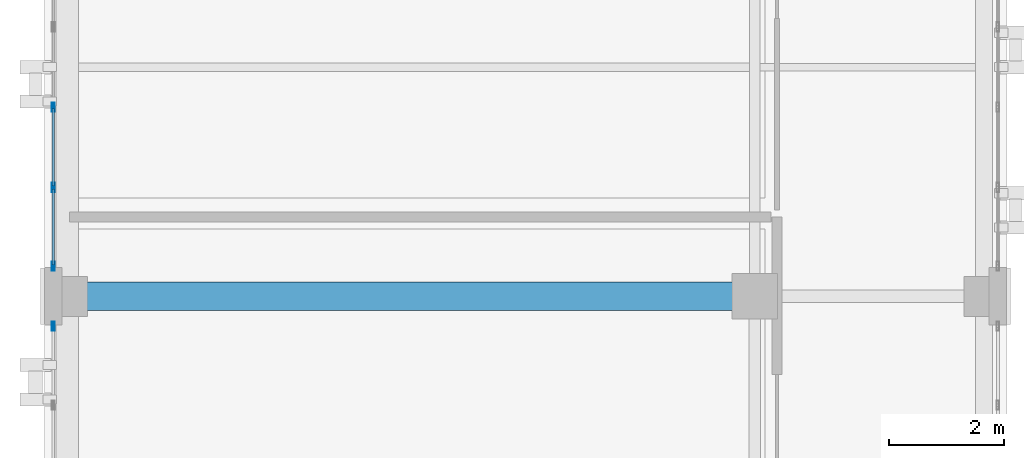
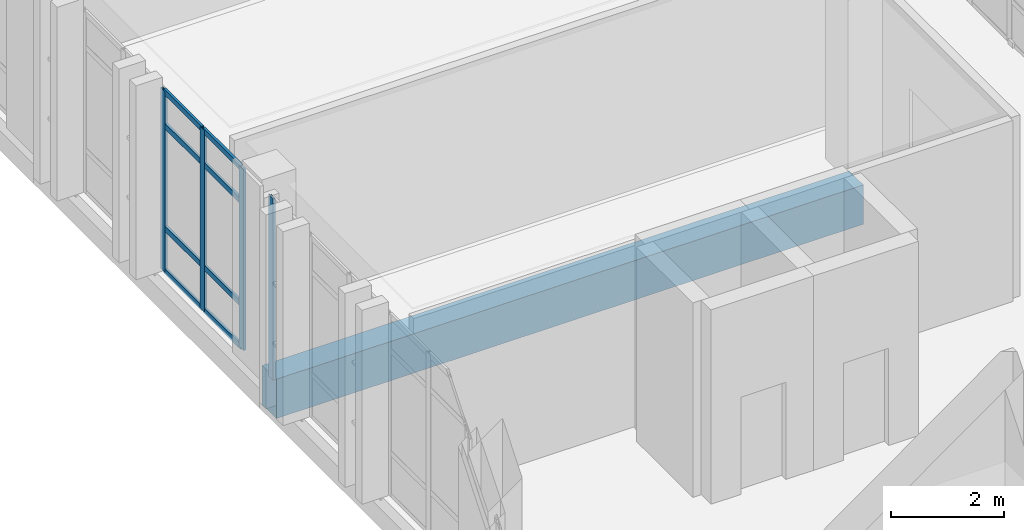
# One storey, part 28 of 193: 12 members, 1 beam, 2 elements without a shape of their own.
"""IFC4 building model written with IfcOpenShell, lengths in metres."""

import ifcopenshell
import ifcopenshell.guid

model = None  # the IFC model being written
_history = None  # IfcOwnerHistory: only IFC2X3 demands one
_inside = {}  # id of a spatial element -> (the spatial element, [elements in it])
_under = {}  # id of a project, library or spatial element -> (it, [spatial elements below it])
_declared = {}  # id of a project -> (the project, [libraries it declares])
_typed = {}  # id of a type object -> (the type object, [elements of that type])
_made_of = {}  # id of a material, layer set ... -> (it, [elements and type objects made of it])


def new_model(schema):
    """Start an empty IFC model of exactly this schema.

    Asked for "IFC4X3", IfcOpenShell would pick the latest addendum, in which some entities
    have other attributes; the version numbers below select the first issue.
    IFC2X3 requires an IfcOwnerHistory on every rooted entity: one is made here for all.
    """
    global model, _history
    if schema == "IFC4X3":
        model = ifcopenshell.file(schema_version=(4, 3, 0, 0))
    else:
        model = ifcopenshell.file(schema=schema)
    _inside.clear()
    _under.clear()
    _declared.clear()
    _typed.clear()
    _made_of.clear()
    _history = None
    if model.schema == "IFC2X3":
        org = make("IfcOrganization", Name="unknown")
        user = make(
            "IfcPersonAndOrganization",
            ThePerson=make("IfcPerson", FamilyName="unknown"),
            TheOrganization=org,
        )
        app = make(
            "IfcApplication",
            ApplicationDeveloper=org,
            Version="unknown",
            ApplicationFullName="unknown",
            ApplicationIdentifier="unknown",
        )
        _history = make(
            "IfcOwnerHistory",
            OwningUser=user,
            OwningApplication=app,
            ChangeAction="ADDED",
            CreationDate=0,
        )
    return model


def make(cls, **values):
    """One entity of the class cls with the attributes given. An attribute that is None is left unset."""
    return model.create_entity(
        cls, **{name: value for name, value in values.items() if value is not None}
    )


def rooted(cls, **values):
    """An entity with a GlobalId (a new one), such as an element, a storey or a relation."""
    return make(cls, GlobalId=ifcopenshell.guid.new(), OwnerHistory=_history, **values)


def si_unit(unit_type, name, prefix=None):
    """IfcSIUnit, for example si_unit("LENGTHUNIT", "METRE", prefix="MILLI")."""
    return make("IfcSIUnit", UnitType=unit_type, Prefix=prefix, Name=name)


def assignment(units):
    """IfcUnitAssignment: the units of a project."""
    return None if units is None else make("IfcUnitAssignment", Units=units)


def point(xyz):
    """IfcCartesianPoint."""
    return None if xyz is None else make("IfcCartesianPoint", Coordinates=xyz)


def direction(xyz):
    """IfcDirection."""
    return None if xyz is None else make("IfcDirection", DirectionRatios=xyz)


def frame(location, z_axis=None, x_axis=None):
    """IfcAxis2Placement3D, a coordinate frame: its origin and axes. An axis left out is left unset."""
    return make(
        "IfcAxis2Placement3D",
        Location=point(location),
        Axis=direction(z_axis),
        RefDirection=direction(x_axis),
    )


def frame_2d(location, x_axis=None):
    """IfcAxis2Placement2D, a coordinate frame in the plane: its origin and x axis."""
    return make(
        "IfcAxis2Placement2D", Location=point(location), RefDirection=direction(x_axis)
    )


def origin():
    """The frame at (0, 0, 0) with its axes left unset."""
    return frame((0.0, 0.0, 0.0))


def origin_2d():
    """The frame at (0, 0) in the plane with its x axis left unset."""
    return frame_2d((0.0, 0.0))


def place(relative_to, where):
    """IfcLocalPlacement: puts the frame where relative to a parent placement (None: the world)."""
    return make(
        "IfcLocalPlacement", PlacementRelTo=relative_to, RelativePlacement=where
    )


def context(
    kind, dimensions, precision=None, world=None, true_north=None, identifier=None
):
    """IfcGeometricRepresentationContext, for example the 3D "Model" context."""
    return make(
        "IfcGeometricRepresentationContext",
        ContextIdentifier=identifier,
        ContextType=kind,
        CoordinateSpaceDimension=dimensions,
        Precision=precision,
        WorldCoordinateSystem=world,
        TrueNorth=true_north,
    )


def subcontext(parent, identifier, kind, view, scale=None):
    """IfcGeometricRepresentationSubContext, for example "Body" below "Model"."""
    return make(
        "IfcGeometricRepresentationSubContext",
        ContextIdentifier=identifier,
        ContextType=kind,
        ParentContext=parent,
        TargetScale=scale,
        TargetView=view,
    )


def project(units=None, contexts=None):
    """IfcProject with its units and contexts."""
    return rooted(
        "IfcProject",
        Name="project",
        RepresentationContexts=contexts,
        UnitsInContext=assignment(units),
    )


def spatial(cls, under=None, at=None, **own):
    """A site, building, storey or space (cls), placed at a placement, below another one or the project."""
    s = rooted(cls, ObjectPlacement=at, **own)
    if under is not None:
        _under.setdefault(under.id(), (under, []))[1].append(s)
    return s


def profile(cls, at=None, kind="AREA", **sizes):
    """A parametric profile (cls). Its sizes go by their IFC names, for example OverallWidth=200.0."""
    return make(cls, ProfileType=kind, Position=at, **sizes)


def rectangle(**sizes):
    """IfcRectangleProfileDef."""
    return profile("IfcRectangleProfileDef", **sizes)


def hollow_rectangle(**sizes):
    """IfcRectangleHollowProfileDef."""
    return profile("IfcRectangleHollowProfileDef", **sizes)


def extrude(swept, where, along, depth):
    """IfcExtrudedAreaSolid: the profile swept, set in the frame where, extruded along a direction by depth."""
    return make(
        "IfcExtrudedAreaSolid",
        SweptArea=swept,
        Position=where,
        ExtrudedDirection=direction(along),
        Depth=depth,
    )


def shape(context_of_items, identifier, shape_type, items):
    """IfcShapeRepresentation: the items that make up one representation, for example the "Body"."""
    return make(
        "IfcShapeRepresentation",
        ContextOfItems=context_of_items,
        RepresentationIdentifier=identifier,
        RepresentationType=shape_type,
        Items=items,
    )


def material(Name=None, Category=None):
    """IfcMaterial."""
    return make("IfcMaterial", Name=Name, Category=Category)


def layer(
    of_material, thickness, ventilated=None, Name=None, Category=None, Priority=None
):
    """IfcMaterialLayer: one layer of a wall or slab, of a material (None: an air gap)."""
    return make(
        "IfcMaterialLayer",
        Material=of_material,
        LayerThickness=thickness,
        IsVentilated=ventilated,
        Name=Name,
        Category=Category,
        Priority=Priority,
    )


def layer_set(layers, Name=None):
    """IfcMaterialLayerSet."""
    return make("IfcMaterialLayerSet", MaterialLayers=layers, LayerSetName=Name)


def material_profile(
    of_material, cross_section, Name=None, Category=None, Priority=None
):
    """IfcMaterialProfile: a cross section and its material."""
    return make(
        "IfcMaterialProfile",
        Name=Name,
        Material=of_material,
        Profile=cross_section,
        Priority=Priority,
        Category=Category,
    )


def profile_set(profiles, Name=None, composite=None):
    """IfcMaterialProfileSet."""
    return make(
        "IfcMaterialProfileSet",
        Name=Name,
        MaterialProfiles=profiles,
        CompositeProfile=composite,
    )


def made_of(thing, what):
    """Note that an element or type object is made of a material, layer set ...; save() writes the relation."""
    if what is not None:
        _made_of.setdefault(what.id(), (what, []))[1].append(thing)
    return thing


def type_object(cls, material=None, **own):
    """A type object (cls), such as IfcWallType, which elements share."""
    return made_of(rooted(cls, **own), material)


def element(
    cls,
    number,
    at=None,
    inside=None,
    cuts=None,
    type_object=None,
    material=None,
    context=None,
    identifier="Body",
    shape_type=None,
    held_by="IfcProductDefinitionShape",
    body=None,
    shapes=None,
    **own,
):
    """One element of the class cls, such as IfcWall. Its Tag is "e" and its number.

    at: its placement. inside: the storey or other place that contains it. cuts: it is an
    opening in that element (IfcRelVoidsElement). A single representation is given by context,
    identifier, shape_type and body (its items); several are given by shapes. held_by: the class
    of the entity that holds the representations. save() writes the other relations.
    """
    e = rooted(cls, Tag="e%d" % number, ObjectPlacement=at, **own)
    if body is not None:
        shapes = [shape(context, identifier, shape_type, body)]
    if shapes is not None:
        e.Representation = make(held_by, Representations=shapes)
    if inside is not None:
        _inside.setdefault(inside.id(), (inside, []))[1].append(e)
    if cuts is not None:
        rooted(
            "IfcRelVoidsElement", RelatingBuildingElement=cuts, RelatedOpeningElement=e
        )
    if type_object is not None:
        _typed.setdefault(type_object.id(), (type_object, []))[1].append(e)
    return made_of(e, material)


def aggregate(whole, parts):
    """IfcRelAggregates: a whole, such as a stair, and the parts it consists of."""
    return rooted("IfcRelAggregates", RelatingObject=whole, RelatedObjects=parts)


def save(model, path):
    """Write the relations noted so far, then the file.

    IfcRelAggregates (storeys below a building ...), IfcRelContainedInSpatialStructure (elements
    in a storey), IfcRelDefinesByType, IfcRelAssociatesMaterial and IfcRelDeclares: one each for
    every whole, place, type object, material and project.
    """
    for whole, parts in _under.values():
        aggregate(whole, parts)
    for where, things in _inside.values():
        rooted(
            "IfcRelContainedInSpatialStructure",
            RelatedElements=things,
            RelatingStructure=where,
        )
    for kind, things in _typed.values():
        rooted("IfcRelDefinesByType", RelatedObjects=things, RelatingType=kind)
    for what, things in _made_of.values():
        rooted("IfcRelAssociatesMaterial", RelatedObjects=things, RelatingMaterial=what)
    for by, libraries in _declared.values():
        rooted("IfcRelDeclares", RelatingContext=by, RelatedDefinitions=libraries)
    model.write(path)


model = new_model("IFC4")

# Units and contexts
model_context = context("Model", 3, precision=1e-05, world=origin(), true_north=direction((0.0, 1.0)))
body_context = subcontext(model_context, "Body", "Model", "MODEL_VIEW")
ifc_project = project(units=[si_unit("LENGTHUNIT", "METRE"), si_unit("AREAUNIT", "SQUARE_METRE"), si_unit("VOLUMEUNIT", "CUBIC_METRE"), si_unit("PLANEANGLEUNIT", "RADIAN"), si_unit("MASSUNIT", "GRAM", prefix="KILO")], contexts=[model_context])

# Site, building, storey
site_placement = place(None, origin())
site = spatial("IfcSite", under=ifc_project, at=site_placement, CompositionType="ELEMENT")
building_placement = place(site_placement, origin())
building = spatial("IfcBuilding", under=site, at=building_placement, Name="Qalavern Law Courts", CompositionType="ELEMENT")
storey_placement = place(building_placement, frame((0.0, 0.0, 10.199951171875)))
storey = spatial("IfcBuildingStorey", under=building, at=storey_placement, Name="L02", CompositionType="ELEMENT", Elevation=10.199951171875)

# Curtain wall, members
ifc_material_1 = material(Name="Anodised aluminium and insulated glazing", Category="aluminium")
ifc_layer = layer(ifc_material_1, 0.172119140625)
ifc_layer_set = layer_set([ifc_layer], Name="Anodised aluminium and insulated glazing")
curtain_wall_type = type_object("IfcCurtainWallType", Name="ENV-CW-COURT", PredefinedType="USERDEFINED", material=ifc_layer_set)
curtain_wall_1_placement = place(storey_placement, origin())
curtain_wall_1 = element("IfcCurtainWall", 1, at=curtain_wall_1_placement, inside=storey, type_object=curtain_wall_type, Name="V3 unitised curtain wall L02 west 5", ObjectType="UNITISED CURTAIN WALL", PredefinedType="USERDEFINED")
ifc_material_2 = material(Name="Anodised aluminium", Category="aluminium")
ifc_material_profile_1 = material_profile(ifc_material_2, hollow_rectangle(XDim=0.048095703125, YDim=0.159912109375, WallThickness=0.00390625, at=origin_2d()), Name="ALU MULLION 48x160")
ifc_profile_set_1 = profile_set([ifc_material_profile_1], Name="Anodised aluminium")
member_type_1 = type_object("IfcMemberType", Name="ENV-CWM-48x160", PredefinedType="MULLION", material=ifc_profile_set_1)
member_1_placement = place(storey_placement, frame((2.155029296875, 60.699951171875, 0.0), z_axis=(0.0, 0.0, 1.0), x_axis=(1.0, 0.0, 0.0)))
member_1 = element("IfcMember", 2, at=member_1_placement, type_object=member_type_1, Name="CW-03 mullion 4", PredefinedType="MULLION", context=body_context, shape_type="SweptSolid", body=[
    extrude(hollow_rectangle(XDim=0.048095703125, YDim=0.159912109375, WallThickness=0.00390625, at=origin_2d()), origin(), (0.0, 0.0, 1.0), 3.9150390625),
])
member_2_placement = place(storey_placement, frame((2.155029296875, 59.300048828125, 0.0), z_axis=(0.0, 0.0, 1.0), x_axis=(1.0, 0.0, 0.0)))
member_2 = element("IfcMember", 3, at=member_2_placement, type_object=member_type_1, Name="CW-03 mullion 5", PredefinedType="MULLION", context=body_context, shape_type="SweptSolid", body=[
    extrude(hollow_rectangle(XDim=0.048095703125, YDim=0.159912109375, WallThickness=0.00390625, at=origin_2d()), origin(), (0.0, 0.0, 1.0), 3.9150390625),
])
member_3_placement = place(storey_placement, frame((2.155029296875, 57.924072265625, 0.0), z_axis=(0.0, 0.0, 1.0), x_axis=(1.0, 0.0, 0.0)))
member_3 = element("IfcMember", 4, at=member_3_placement, type_object=member_type_1, Name="CW-03 mullion 6", PredefinedType="MULLION", context=body_context, shape_type="SweptSolid", body=[
    extrude(hollow_rectangle(XDim=0.048095703125, YDim=0.159912109375, WallThickness=0.00390625, at=origin_2d()), origin(), (0.0, 0.0, 1.0), 3.9150390625),
])

# Curtain wall, member
curtain_wall_2_placement = place(storey_placement, origin())
curtain_wall_2 = element("IfcCurtainWall", 5, at=curtain_wall_2_placement, inside=storey, type_object=curtain_wall_type, Name="V3 unitised curtain wall L02 west 6", ObjectType="UNITISED CURTAIN WALL", PredefinedType="USERDEFINED")
member_4_placement = place(storey_placement, frame((2.155029296875, 56.8759765625, 0.0), z_axis=(0.0, 0.0, 1.0), x_axis=(1.0, 0.0, 0.0)))
member_4 = element("IfcMember", 6, at=member_4_placement, type_object=member_type_1, Name="CW-03 mullion 1", PredefinedType="MULLION", context=body_context, shape_type="SweptSolid", body=[
    extrude(hollow_rectangle(XDim=0.048095703125, YDim=0.159912109375, WallThickness=0.00390625, at=origin_2d()), origin(), (0.0, 0.0, 1.0), 3.9150390625),
])
aggregate(curtain_wall_2, [member_4])

# Member
ifc_material_profile_2 = material_profile(ifc_material_2, hollow_rectangle(XDim=0.048095703125, YDim=0.1201171875, WallThickness=0.00390625, at=origin_2d()), Name="ALU TRANSOM 48x120")
ifc_profile_set_2 = profile_set([ifc_material_profile_2], Name="Anodised aluminium")
member_type_2 = type_object("IfcMemberType", Name="ENV-CWT-48x120", PredefinedType="USERDEFINED", material=ifc_profile_set_2)
member_5_placement = place(storey_placement, frame((2.155029296875, 60.676025390625, 0.024169921875), z_axis=(0.0, -1.0, 0.0), x_axis=(1.0, 0.0, 0.0)))
member_5 = element("IfcMember", 7, at=member_5_placement, type_object=member_type_2, Name="CW-03 transom 4.1", ObjectType="TRANSOM", PredefinedType="USERDEFINED", context=body_context, shape_type="SweptSolid", body=[
    extrude(hollow_rectangle(XDim=0.048095703125, YDim=0.1201171875, WallThickness=0.00390625, at=origin_2d()), origin(), (0.0, 0.0, 1.0), 1.35205078125),
])

member_6_placement = place(storey_placement, frame((2.155029296875, 60.676025390625, 0.949951171875), z_axis=(0.0, -1.0, 0.0), x_axis=(1.0, 0.0, 0.0)))
member_6 = element("IfcMember", 8, at=member_6_placement, type_object=member_type_2, Name="CW-03 transom 4.2", ObjectType="TRANSOM", PredefinedType="USERDEFINED", context=body_context, shape_type="SweptSolid", body=[
    extrude(hollow_rectangle(XDim=0.048095703125, YDim=0.1201171875, WallThickness=0.00390625, at=origin_2d()), origin(), (0.0, 0.0, 1.0), 1.35205078125),
])

member_7_placement = place(storey_placement, frame((2.155029296875, 60.676025390625, 3.1650390625), z_axis=(0.0, -1.0, 0.0), x_axis=(1.0, 0.0, 0.0)))
member_7 = element("IfcMember", 9, at=member_7_placement, type_object=member_type_2, Name="CW-03 transom 4.3", ObjectType="TRANSOM", PredefinedType="USERDEFINED", context=body_context, shape_type="SweptSolid", body=[
    extrude(hollow_rectangle(XDim=0.048095703125, YDim=0.1201171875, WallThickness=0.00390625, at=origin_2d()), origin(), (0.0, 0.0, 1.0), 1.35205078125),
])

member_8_placement = place(storey_placement, frame((2.155029296875, 60.676025390625, 3.89111328125), z_axis=(0.0, -1.0, 0.0), x_axis=(1.0, 0.0, 0.0)))
member_8 = element("IfcMember", 10, at=member_8_placement, type_object=member_type_2, Name="CW-03 transom 4.4", ObjectType="TRANSOM", PredefinedType="USERDEFINED", context=body_context, shape_type="SweptSolid", body=[
    extrude(hollow_rectangle(XDim=0.048095703125, YDim=0.1201171875, WallThickness=0.00390625, at=origin_2d()), origin(), (0.0, 0.0, 1.0), 1.35205078125),
])

member_9_placement = place(storey_placement, frame((2.155029296875, 59.27587890625, 0.024169921875), z_axis=(0.0, -1.0, 0.0), x_axis=(1.0, 0.0, 0.0)))
member_9 = element("IfcMember", 11, at=member_9_placement, type_object=member_type_2, Name="CW-03 transom 5.1", ObjectType="TRANSOM", PredefinedType="USERDEFINED", context=body_context, shape_type="SweptSolid", body=[
    extrude(hollow_rectangle(XDim=0.048095703125, YDim=0.1201171875, WallThickness=0.00390625, at=origin_2d()), origin(), (0.0, 0.0, 1.0), 1.327880859375),
])

member_10_placement = place(storey_placement, frame((2.155029296875, 59.27587890625, 0.949951171875), z_axis=(0.0, -1.0, 0.0), x_axis=(1.0, 0.0, 0.0)))
member_10 = element("IfcMember", 12, at=member_10_placement, type_object=member_type_2, Name="CW-03 transom 5.2", ObjectType="TRANSOM", PredefinedType="USERDEFINED", context=body_context, shape_type="SweptSolid", body=[
    extrude(hollow_rectangle(XDim=0.048095703125, YDim=0.1201171875, WallThickness=0.00390625, at=origin_2d()), origin(), (0.0, 0.0, 1.0), 1.327880859375),
])

member_11_placement = place(storey_placement, frame((2.155029296875, 59.27587890625, 3.1650390625), z_axis=(0.0, -1.0, 0.0), x_axis=(1.0, 0.0, 0.0)))
member_11 = element("IfcMember", 13, at=member_11_placement, type_object=member_type_2, Name="CW-03 transom 5.3", ObjectType="TRANSOM", PredefinedType="USERDEFINED", context=body_context, shape_type="SweptSolid", body=[
    extrude(hollow_rectangle(XDim=0.048095703125, YDim=0.1201171875, WallThickness=0.00390625, at=origin_2d()), origin(), (0.0, 0.0, 1.0), 1.327880859375),
])

member_12_placement = place(storey_placement, frame((2.155029296875, 59.27587890625, 3.89111328125), z_axis=(0.0, -1.0, 0.0), x_axis=(1.0, 0.0, 0.0)))
member_12 = element("IfcMember", 14, at=member_12_placement, type_object=member_type_2, Name="CW-03 transom 5.4", ObjectType="TRANSOM", PredefinedType="USERDEFINED", context=body_context, shape_type="SweptSolid", body=[
    extrude(hollow_rectangle(XDim=0.048095703125, YDim=0.1201171875, WallThickness=0.00390625, at=origin_2d()), origin(), (0.0, 0.0, 1.0), 1.327880859375),
])

aggregate(curtain_wall_1, [member_1, member_2, member_3, member_5, member_6, member_7, member_8, member_9, member_10, member_11, member_12])

# Beam
ifc_material_3 = material(Name="Concrete C40/50", Category="concrete")
ifc_material_profile_3 = material_profile(ifc_material_3, rectangle(XDim=0.5, YDim=0.85009765625, at=origin_2d()), Name="RC 500x850")
ifc_profile_set_3 = profile_set([ifc_material_profile_3], Name="Concrete C40/50")
beam_type = type_object("IfcBeamType", Name="STR-BM-RC500x850", PredefinedType="BEAM", material=ifc_profile_set_3)
beam_placement = place(storey_placement, frame((2.39990234375, 57.39990234375, -0.71484375), z_axis=(1.0, 0.0, 0.0), x_axis=(0.0, 1.0, 0.0)))
element("IfcBeam", 15, at=beam_placement, inside=storey, type_object=beam_type, Name="V3 X-beam 3-1 L02", PredefinedType="BEAM", context=body_context, shape_type="SweptSolid", body=[
    extrude(rectangle(XDim=0.5, YDim=0.85009765625, at=origin_2d()), origin(), (0.0, 0.0, 1.0), 12.0),
])

save(model, "model.ifc")
